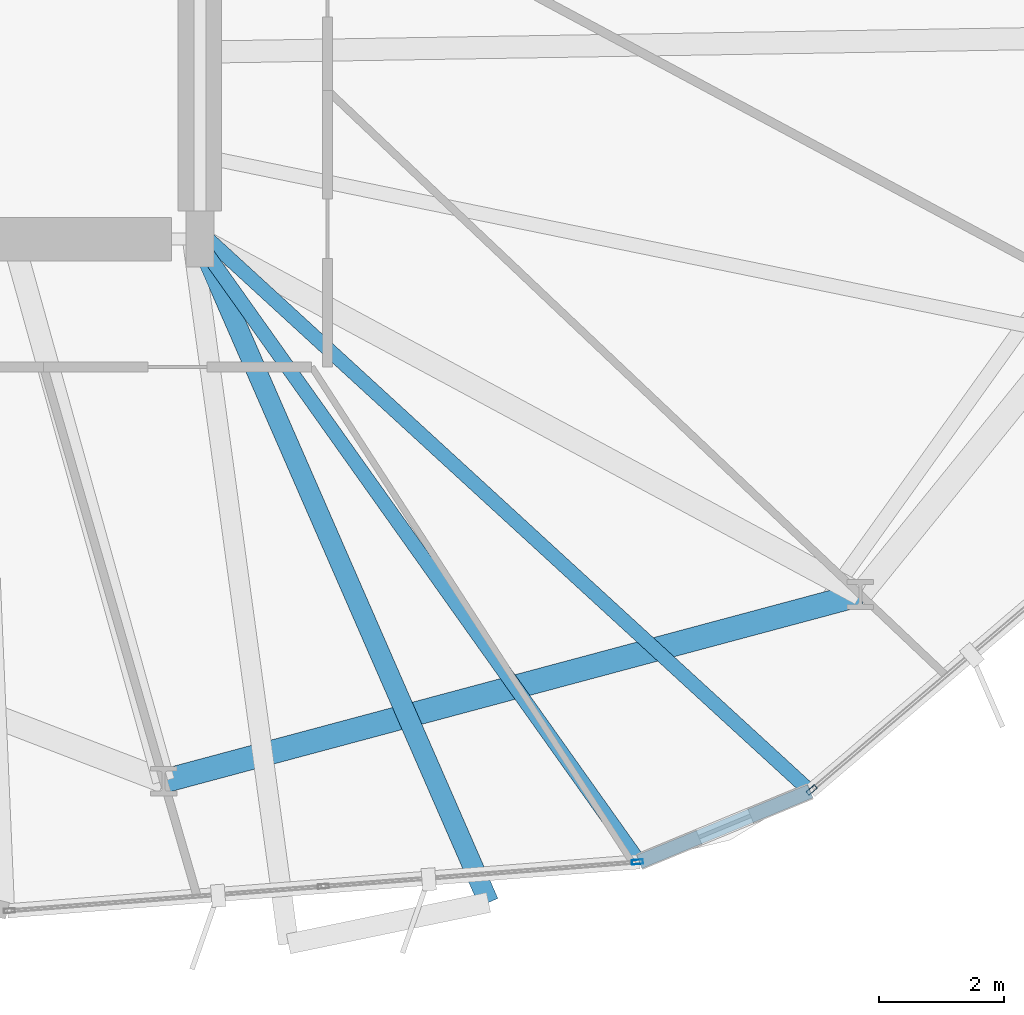
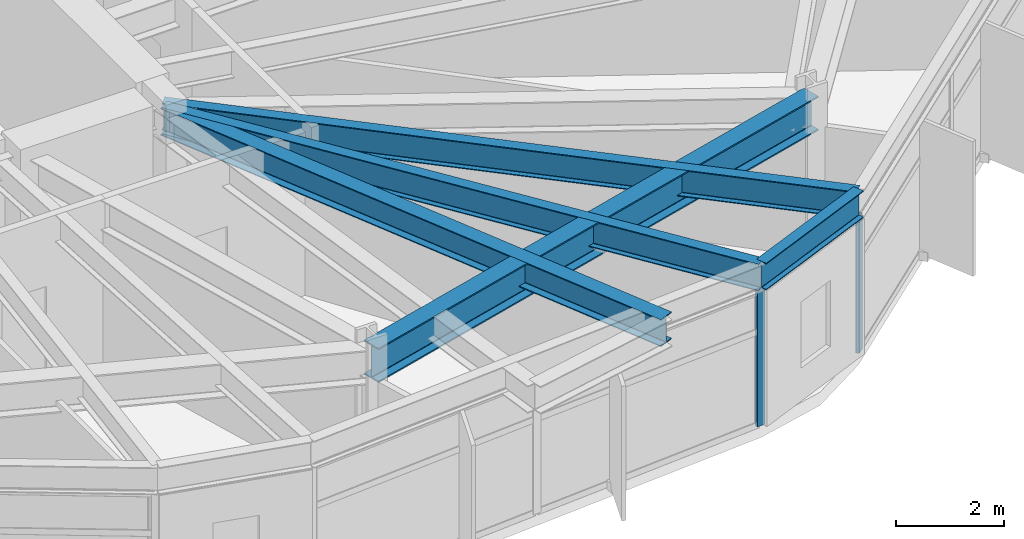
# One storey, part 5 of 22: 5 beams, 2 members, 2 elements without a shape of their own.
"""IFC4 building model written with IfcOpenShell, lengths in metres."""

from ifc_helpers import new_model, si_unit, direction, frame, origin, origin_2d, place, context, subcontext, project, spatial, hollow_rectangle, i_section, extrude, material, layer, layer_set, material_profile, profile_set, type_object, element, aggregate, save


model = new_model("IFC4")

# Units and contexts
model_context = context("Model", 3, precision=1e-05, world=origin(), true_north=direction((0.0, 1.0)))
body_context = subcontext(model_context, "Body", "Model", "MODEL_VIEW")
ifc_project = project(units=[si_unit("LENGTHUNIT", "METRE"), si_unit("AREAUNIT", "SQUARE_METRE"), si_unit("VOLUMEUNIT", "CUBIC_METRE"), si_unit("PLANEANGLEUNIT", "RADIAN"), si_unit("MASSUNIT", "GRAM", prefix="KILO")], contexts=[model_context])

# Site, building, storey
site_placement = place(None, origin())
site = spatial("IfcSite", under=ifc_project, at=site_placement, CompositionType="ELEMENT")
building_placement = place(site_placement, origin())
building = spatial("IfcBuilding", under=site, at=building_placement, Name="Soratama Intermodal Tower", CompositionType="ELEMENT")
storey_placement = place(building_placement, frame((0.0, 0.0, 50.60009765625)))
storey = spatial("IfcBuildingStorey", under=building, at=storey_placement, Name="L11", CompositionType="ELEMENT", Elevation=50.60009765625)

# Beams
ifc_material_1 = material(Name="Structural steel ASTM A992 Grade 50", Category="steel")
ifc_material_profile_1 = material_profile(ifc_material_1, i_section(OverallWidth=0.324951171875, OverallDepth=0.615966796875, WebThickness=0.013916015625, FlangeThickness=0.021484375, FilletRadius=0.013916015625, at=origin_2d()), Name="W24X117")
ifc_profile_set_1 = profile_set([ifc_material_profile_1], Name="Structural steel ASTM A992 Grade 50")
beam_type_1 = type_object("IfcBeamType", Name="BM-CANT-W24X117", PredefinedType="BEAM", material=ifc_profile_set_1)
beam_1_placement = place(storey_placement, frame((44.60302734375, 14.962890625, 3.391845703125), z_axis=(0.400177789488, -0.916437524767, 0.0), x_axis=(0.916437524767, 0.400177789488, 0.0)))
element("IfcBeam", 1, at=beam_1_placement, inside=storey, type_object=beam_type_1, Name="BM-L11-CANT-3-2", PredefinedType="BEAM", context=body_context, shape_type="SweptSolid", body=[
    extrude(i_section(OverallWidth=0.324951171875, OverallDepth=0.615966796875, WebThickness=0.013916015625, FlangeThickness=0.021484375, FilletRadius=0.013916015625, at=origin_2d()), origin(), (0.0, 0.0, 1.0), 11.569580078125),
])
ifc_material_2 = material(Name="Structural steel ASTM A992 Grade 50", Category="steel")
ifc_material_profile_2 = material_profile(ifc_material_2, i_section(OverallWidth=0.382080078125, OverallDepth=0.779052734375, WebThickness=0.01806640625, FlangeThickness=0.030029296875, FilletRadius=0.01806640625, at=origin_2d()), Name="W30X191")
ifc_profile_set_2 = profile_set([ifc_material_profile_2], Name="Structural steel ASTM A992 Grade 50")
beam_type_2 = type_object("IfcBeamType", Name="BM-RING-W30X191", PredefinedType="BEAM", material=ifc_profile_set_2)
beam_2_placement = place(storey_placement, frame((44.02001953125, 6.305908203125, 3.310302734375), z_axis=(0.965935902196, 0.258781438376, 0.0), x_axis=(-0.258781438376, 0.965935902196, 0.0)))
element("IfcBeam", 2, at=beam_2_placement, inside=storey, type_object=beam_type_2, Name="BM-L11-RING-08", PredefinedType="BEAM", context=body_context, shape_type="SweptSolid", body=[
    extrude(i_section(OverallWidth=0.382080078125, OverallDepth=0.779052734375, WebThickness=0.01806640625, FlangeThickness=0.030029296875, FilletRadius=0.01806640625, at=origin_2d()), origin(), (0.0, 0.0, 1.0), 11.570068359375),
])
ifc_material_3 = material(Name="Structural steel ASTM A992 Grade 50", Category="steel")
ifc_material_profile_3 = material_profile(ifc_material_3, i_section(OverallWidth=0.22900390625, OverallDepth=0.612060546875, WebThickness=0.011962890625, FlangeThickness=0.01953125, FilletRadius=0.012939453125, at=origin_2d()), Name="W24X84")
ifc_profile_set_3 = profile_set([ifc_material_profile_3], Name="Structural steel ASTM A992 Grade 50")
beam_type_3 = type_object("IfcBeamType", Name="BM-SPN-W24X84", PredefinedType="SPANDREL", material=ifc_profile_set_3)
beam_3_placement = place(storey_placement, frame((51.64990234375, 5.011962890625, 3.393798828125), z_axis=(0.92432832408, 0.381598151599, 0.0), x_axis=(-0.381598151599, 0.92432832408, 0.0)))
element("IfcBeam", 3, at=beam_3_placement, inside=storey, type_object=beam_type_3, Name="BS-L11-CRN08", PredefinedType="SPANDREL", context=body_context, shape_type="SweptSolid", body=[
    extrude(i_section(OverallWidth=0.22900390625, OverallDepth=0.612060546875, WebThickness=0.011962890625, FlangeThickness=0.01953125, FilletRadius=0.012939453125, at=origin_2d()), origin(), (0.0, 0.0, 1.0), 2.966796875),
])
ifc_material_4 = material(Name="Structural steel ASTM A992 Grade 50", Category="steel")
ifc_material_profile_4 = material_profile(ifc_material_4, i_section(OverallWidth=0.22900390625, OverallDepth=0.612060546875, WebThickness=0.011962890625, FlangeThickness=0.01953125, FilletRadius=0.012939453125, at=origin_2d()), Name="W24X84")
ifc_profile_set_4 = profile_set([ifc_material_profile_4], Name="Structural steel ASTM A992 Grade 50")
beam_type_4 = type_object("IfcBeamType", Name="BM-TIE-W24X84", PredefinedType="BEAM", material=ifc_profile_set_4)
beam_4_placement = place(storey_placement, frame((44.574951171875, 14.967041015625, 3.393798828125), z_axis=(0.579294522516, -0.815118308089, 0.0), x_axis=(0.815118308089, 0.579294522516, 0.0)))
element("IfcBeam", 4, at=beam_4_placement, inside=storey, type_object=beam_type_4, Name="BM-L11-TIE1-08", PredefinedType="BEAM", context=body_context, shape_type="SweptSolid", body=[
    extrude(i_section(OverallWidth=0.22900390625, OverallDepth=0.612060546875, WebThickness=0.011962890625, FlangeThickness=0.01953125, FilletRadius=0.012939453125, at=origin_2d()), origin(), (0.0, 0.0, 1.0), 12.213134765625),
])
beam_5_placement = place(storey_placement, frame((44.62890625, 15.096923828125, 3.393798828125), z_axis=(0.737030192308, -0.675859819508, 0.0), x_axis=(0.675859819508, 0.737030192308, 0.0)))
element("IfcBeam", 5, at=beam_5_placement, inside=storey, type_object=beam_type_4, Name="BM-L11-TIE0-09", PredefinedType="BEAM", context=body_context, shape_type="SweptSolid", body=[
    extrude(i_section(OverallWidth=0.22900390625, OverallDepth=0.612060546875, WebThickness=0.011962890625, FlangeThickness=0.01953125, FilletRadius=0.012939453125, at=origin_2d()), origin(), (0.0, 0.0, 1.0), 13.24658203125),
])

# Curtain wall, member
ifc_material_5 = material(Name="Double-glazed aluminium curtain wall", Category="aluminium")
ifc_layer = layer(ifc_material_5, 0.159912109375)
ifc_layer_set = layer_set([ifc_layer], Name="Double-glazed aluminium curtain wall")
curtain_wall_type = type_object("IfcCurtainWallType", Name="CW-SYS-2", PredefinedType="NOTDEFINED", material=ifc_layer_set)
curtain_wall_1_placement = place(storey_placement, origin())
curtain_wall_1 = element("IfcCurtainWall", 6, at=curtain_wall_1_placement, inside=storey, type_object=curtain_wall_type, Name="L11 Faceted Curtain Wall F08", PredefinedType="NOTDEFINED")
ifc_material_6 = material(Name="Anodised aluminium AA 6063-T6", Category="aluminium")
ifc_material_profile_5 = material_profile(ifc_material_6, hollow_rectangle(XDim=0.074951171875, YDim=0.179931640625, WallThickness=0.006103515625, InnerFilletRadius=0.006103515625, OuterFilletRadius=0.011962890625, at=origin_2d()), Name="CWM180X75X6")
ifc_profile_set_5 = profile_set([ifc_material_profile_5], Name="Anodised aluminium AA 6063-T6")
member_type = type_object("IfcMemberType", Name="MT-CWM-2", PredefinedType="MULLION", material=ifc_profile_set_5)
member_1_placement = place(storey_placement, frame((51.619873046875, 5.009765625, 0.0), z_axis=(0.0, 0.0, 1.0), x_axis=(-0.077411143297, 0.996999255212, 0.0)))
member_1 = element("IfcMember", 7, at=member_1_placement, type_object=member_type, Name="CW-2 mullion 3", PredefinedType="MULLION", context=body_context, shape_type="SweptSolid", body=[
    extrude(hollow_rectangle(XDim=0.074951171875, YDim=0.179931640625, WallThickness=0.006103515625, InnerFilletRadius=0.006103515625, OuterFilletRadius=0.011962890625, at=origin_2d()), origin(), (0.0, 0.0, 1.0), 3.078857421875),
])
aggregate(curtain_wall_1, [member_1])

curtain_wall_2_placement = place(storey_placement, origin())
curtain_wall_2 = element("IfcCurtainWall", 8, at=curtain_wall_2_placement, inside=storey, type_object=curtain_wall_type, Name="L11 Faceted Curtain Wall F09", PredefinedType="NOTDEFINED")
member_2_placement = place(storey_placement, frame((54.414794921875, 6.1640625, 0.0), z_axis=(0.0, 0.0, 1.0), x_axis=(-0.648652448642, 0.761084752752, 0.0)))
member_2 = element("IfcMember", 9, at=member_2_placement, type_object=member_type, Name="CW-2 mullion 1", PredefinedType="MULLION", context=body_context, shape_type="SweptSolid", body=[
    extrude(hollow_rectangle(XDim=0.074951171875, YDim=0.179931640625, WallThickness=0.006103515625, InnerFilletRadius=0.006103515625, OuterFilletRadius=0.011962890625, at=origin_2d()), origin(), (0.0, 0.0, 1.0), 3.078857421875),
])
aggregate(curtain_wall_2, [member_2])

save(model, "model.ifc")
